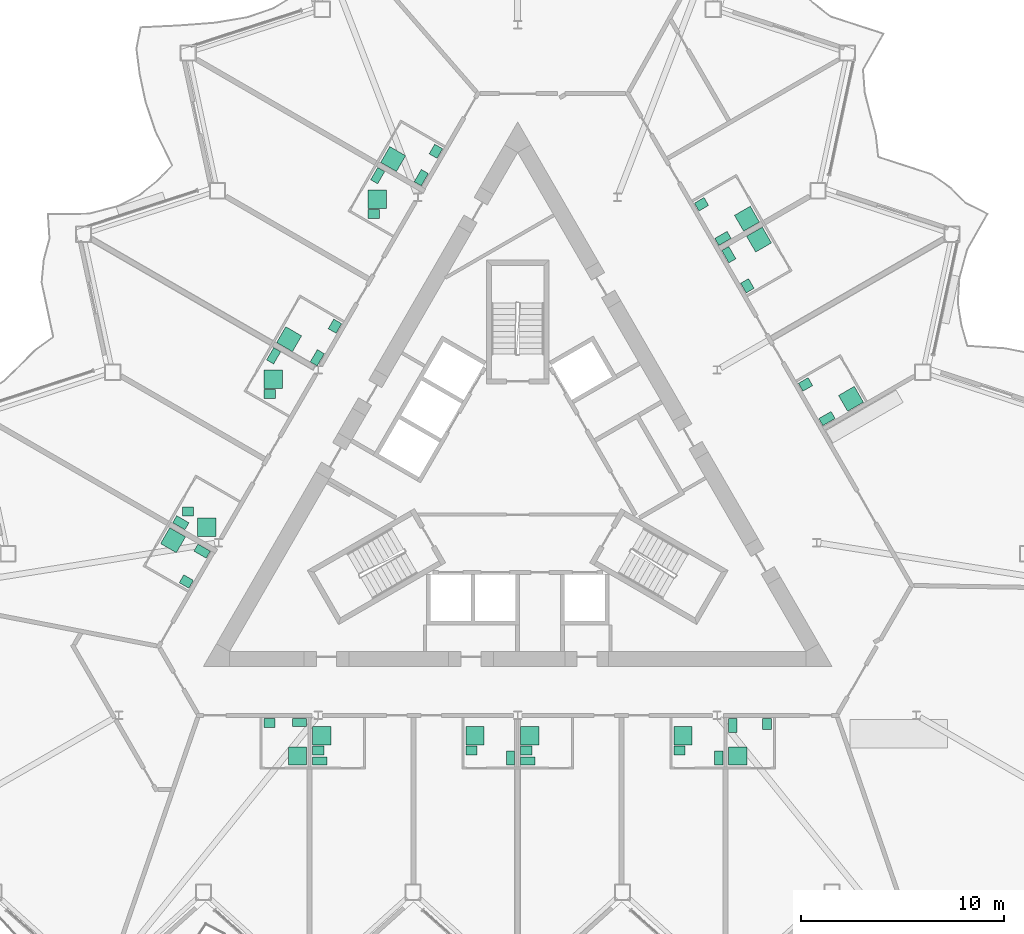
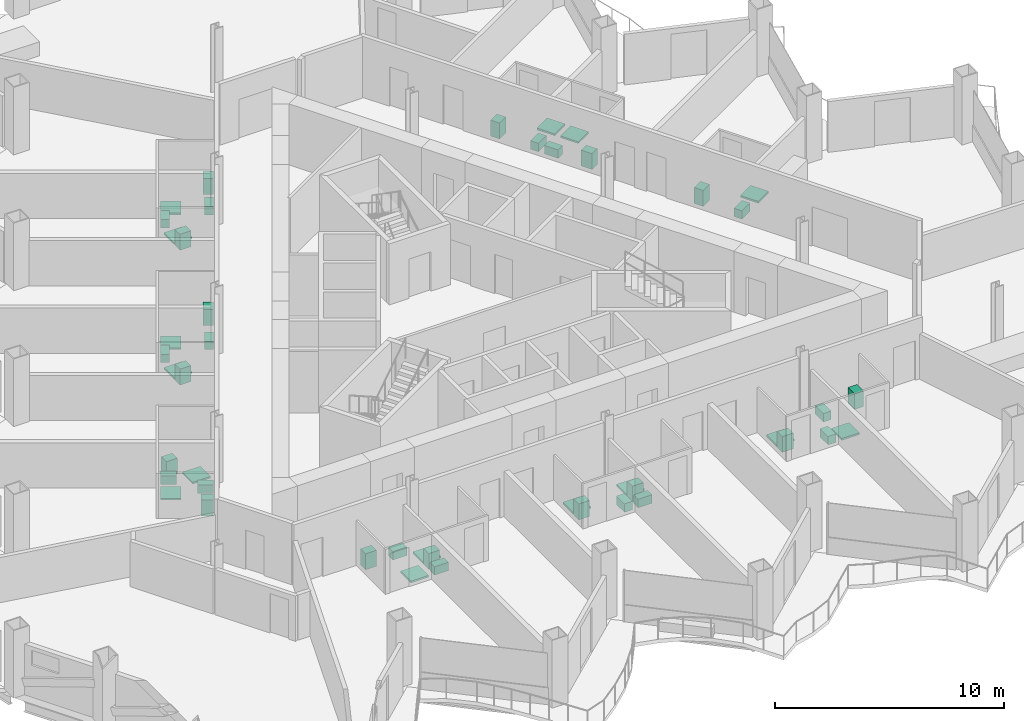
# One storey, part 22 of 23: 45 sanitary terminals.
"""IFC4 building model written with IfcOpenShell, lengths in metres."""

from ifc_helpers import new_model, si_unit, direction, frame, origin, origin_2d, place, context, subcontext, project, spatial, rectangle, extrude, material, type_object, element, save


model = new_model("IFC4")

# Units and contexts
model_context = context("Model", 3, precision=1e-05, world=origin(), true_north=direction((0.0, 1.0)))
body_context = subcontext(model_context, "Body", "Model", "MODEL_VIEW")
ifc_project = project(units=[si_unit("LENGTHUNIT", "METRE"), si_unit("AREAUNIT", "SQUARE_METRE"), si_unit("VOLUMEUNIT", "CUBIC_METRE"), si_unit("PLANEANGLEUNIT", "RADIAN"), si_unit("MASSUNIT", "GRAM", prefix="KILO")], contexts=[model_context])

# Site, building, storey
site_placement = place(None, origin())
site = spatial("IfcSite", under=ifc_project, at=site_placement, CompositionType="ELEMENT")
building_placement = place(site_placement, origin())
building = spatial("IfcBuilding", under=site, at=building_placement, Name="Cormorant Prow Tower", CompositionType="ELEMENT")
storey_placement = place(building_placement, frame((0.0, 0.0, 183.60009765625)))
storey = spatial("IfcBuildingStorey", under=building, at=storey_placement, Name="L39", CompositionType="ELEMENT", Elevation=183.60009765625)

# Sanitary terminals
ifc_material_1 = material(Name="Vitreous china")
sanitary_terminal_type_1 = type_object("IfcSanitaryTerminalType", Name="Shower tray 900x900", PredefinedType="SHOWER", material=ifc_material_1)
for number, where, z_axis, x_axis, name in (
    (1, (-10.84912109375, -13.35400390625, -0.000244140625), (0.0, 0.0, 1.0), (-1.0, 0.0, 0.0), "Shower tray"),
    (2, (-9.6591796875, -12.35400390625, -0.000244140625), (0.0, 0.0, 1.0), (1.0, 0.0, 0.0), "Shower tray"),
    (3, (-2.10498046875, -12.35400390625, -0.000244140625), (0.0, 0.0, 1.0), (1.0, 0.0, 0.0), "Shower tray"),
    (4, (0.594970703125, -12.35400390625, -0.000244140625), (0.0, 0.0, 1.0), (1.0, 0.0, 0.0), "Shower tray"),
    (5, (8.149169921875, -12.35400390625, -0.000244140625), (0.0, 0.0, 1.0), (1.0, 0.0, 0.0), "Shower tray"),
    (6, (10.84912109375, -13.35400390625, -0.000244140625), (0.0, 0.0, 1.0), (0.0, 1.0, 0.0), "Shower tray"),
    (7, (16.428955078125, 4.251953125, -0.000244140625), (0.0, 0.0, 1.0), (-0.866025403784, -0.5, 0.0), "Shower tray"),
    (8, (11.89697265625, 12.101806640625, -0.000244140625), (0.0, 0.0, 1.0), (0.5, -0.866025403784, 0.0), "Shower tray"),
    (9, (11.302001953125, 13.132568359375, -0.000244140625), (0.0, 0.0, 1.0), (-0.866025403784, -0.5, 0.0), "Shower tray"),
    (10, (-6.14013671875, 16.07275390625, -0.000244140625), (0.0, 0.0, 1.0), (0.5, 0.866025403784, 0.0), "Shower tray"),
    (11, (-6.923095703125, 14.096435546875, -0.000244140625), (0.0, 0.0, 1.0), (1.0, 0.0, 0.0), "Shower tray"),
    (12, (-11.267333984375, 7.1923828125, -0.000244140625), (0.0, 0.0, 1.0), (0.5, 0.866025403784, 0.0), "Shower tray"),
    (13, (-12.05029296875, 5.216064453125, -0.000244140625), (0.0, 0.0, 1.0), (1.0, 0.0, 0.0), "Shower tray"),
    (14, (-15.327392578125, -2.076171875, -0.000244140625), (0.0, 0.0, 1.0), (1.0, 0.0, 0.0), "Shower tray"),
    (15, (-16.989501953125, -2.71875, -0.000244140625), (0.0, 0.0, 1.0), (0.866025403784, -0.5, 0.0), "Shower tray"),
):
    element("IfcSanitaryTerminal", number, at=place(storey_placement, frame(where, z_axis=z_axis, x_axis=x_axis)), inside=storey, type_object=sanitary_terminal_type_1, Name=name, PredefinedType="SHOWER", context=body_context, shape_type="SweptSolid", body=[
        extrude(rectangle(XDim=0.89990234375, YDim=0.89990234375, at=origin_2d()), origin(), (0.0, 0.0, 1.0), 0.10009765625),
    ])
ifc_material_2 = material(Name="Vitreous china")
sanitary_terminal_type_2 = type_object("IfcSanitaryTerminalType", Name="Wash basin 550x450", PredefinedType="WASHHANDBASIN", material=ifc_material_2)
for number, where, z_axis, x_axis, name in (
    (16, (-12.234130859375, -11.718994140625, -0.000244140625), (0.0, 0.0, 1.0), (1.0, 0.0, 0.0), "Wash basin"),
    (17, (-9.834228515625, -13.078857421875, -0.000244140625), (0.0, 0.0, 1.0), (1.0, 0.0, 0.0), "Wash basin"),
    (18, (-2.280029296875, -13.078857421875, -0.000244140625), (0.0, 0.0, 1.0), (1.0, 0.0, 0.0), "Wash basin"),
    (19, (0.419921875, -13.078857421875, -0.000244140625), (0.0, 0.0, 1.0), (1.0, 0.0, 0.0), "Wash basin"),
    (20, (7.97412109375, -13.078857421875, -0.000244140625), (0.0, 0.0, 1.0), (1.0, 0.0, 0.0), "Wash basin"),
    (21, (12.2841796875, -11.768798828125, -0.000244140625), (0.0, 0.0, 1.0), (0.0, -1.0, 0.0), "Wash basin"),
    (22, (14.188720703125, 4.962158203125, -0.000244140625), (0.0, 0.0, 1.0), (0.866025403784, 0.5, 0.0), "Wash basin"),
    (23, (11.323486328125, 9.8251953125, -0.000244140625), (0.0, 0.0, 1.0), (-0.5, 0.866025403784, 0.0), "Wash basin"),
    (24, (9.061767578125, 13.842529296875, -0.000244140625), (0.0, 0.0, 1.0), (0.866025403784, 0.5, 0.0), "Wash basin"),
    (25, (-4.03173828125, 16.45458984375, -0.000244140625), (0.0, 0.0, 1.0), (-0.5, -0.866025403784, 0.0), "Wash basin"),
    (26, (-7.09814453125, 13.371337890625, -0.000244140625), (0.0, 0.0, 1.0), (1.0, 0.0, 0.0), "Wash basin"),
    (27, (-9.0087890625, 7.833984375, -0.000244140625), (0.0, 0.0, 1.0), (-0.5, -0.866025403784, 0.0), "Wash basin"),
    (28, (-12.225341796875, 4.490966796875, -0.000244140625), (0.0, 0.0, 1.0), (1.0, 0.0, 0.0), "Wash basin"),
    (29, (-16.25244140625, -1.30126953125, -0.000244140625), (0.0, 0.0, 1.0), (1.0, 0.0, 0.0), "Wash basin"),
    (30, (-16.334228515625, -4.75390625, -0.000244140625), (0.0, 0.0, 1.0), (-0.866025403784, 0.5, 0.0), "Wash basin"),
):
    element("IfcSanitaryTerminal", number, at=place(storey_placement, frame(where, z_axis=z_axis, x_axis=x_axis)), inside=storey, type_object=sanitary_terminal_type_2, Name=name, PredefinedType="WASHHANDBASIN", context=body_context, shape_type="SweptSolid", body=[
        extrude(rectangle(XDim=0.550048828125, YDim=0.449951171875, at=origin_2d()), origin(), (0.0, 0.0, 1.0), 0.85009765625),
    ])
ifc_material_3 = material(Name="Vitreous china")
sanitary_terminal_type_3 = type_object("IfcSanitaryTerminalType", Name="Water closet 400x700", PredefinedType="WCSEAT", material=ifc_material_3)
for number, where, z_axis, x_axis, name in (
    (31, (-10.749267578125, -11.69384765625, 0.0), (0.0, 0.0, 1.0), (0.0, -1.0, 0.0), "Water closet"),
    (32, (-9.75927734375, -13.60400390625, 0.0), (0.0, 0.0, 1.0), (0.0, 1.0, 0.0), "Water closet"),
    (33, (-0.344970703125, -13.453857421875, 0.0), (0.0, 0.0, 1.0), (-1.0, 0.0, 0.0), "Water closet"),
    (34, (0.4951171875, -13.60400390625, 0.0), (0.0, 0.0, 1.0), (0.0, 1.0, 0.0), "Water closet"),
    (35, (9.9091796875, -13.453857421875, 0.0), (0.0, 0.0, 1.0), (-1.0, 0.0, 0.0), "Water closet"),
    (36, (10.59912109375, -11.843994140625, 0.0), (0.0, 0.0, 1.0), (1.0, 0.0, 0.0), "Water closet"),
    (37, (15.246337890625, 3.280517578125, 0.0), (0.0, 0.0, 1.0), (-0.5, 0.866025403784, 0.0), "Water closet"),
    (38, (10.4091796875, 11.3583984375, 0.0), (0.0, 0.0, 1.0), (0.866025403784, 0.5, 0.0), "Water closet"),
    (39, (10.119140625, 12.160888671875, 0.0), (0.0, 0.0, 1.0), (-0.5, 0.866025403784, 0.0), "Water closet"),
    (40, (-4.752685546875, 15.156005859375, 0.0), (0.0, 0.0, 1.0), (-0.866025403784, 0.5, 0.0), "Water closet"),
    (41, (-6.901611328125, 15.253662109375, 0.0), (0.0, 0.0, 1.0), (0.866025403784, -0.5, 0.0), "Water closet"),
    (42, (-9.879638671875, 6.275634765625, 0.0), (0.0, 0.0, 1.0), (-0.866025403784, 0.5, 0.0), "Water closet"),
    (43, (-12.02880859375, 6.373291015625, 0.0), (0.0, 0.0, 1.0), (0.866025403784, -0.5, 0.0), "Water closet"),
    (44, (-16.606201171875, -1.854736328125, 0.0), (0.0, 0.0, 1.0), (0.5, 0.866025403784, 0.0), "Water closet"),
    (45, (-15.556884765625, -3.257080078125, 0.0), (0.0, 0.0, 1.0), (-0.5, -0.866025403784, 0.0), "Water closet"),
):
    element("IfcSanitaryTerminal", number, at=place(storey_placement, frame(where, z_axis=z_axis, x_axis=x_axis)), inside=storey, type_object=sanitary_terminal_type_3, Name=name, PredefinedType="WCSEAT", context=body_context, shape_type="SweptSolid", body=[
        extrude(rectangle(XDim=0.39990234375, YDim=0.699951171875, at=origin_2d()), origin(), (0.0, 0.0, 1.0), 0.449951171875),
    ])

save(model, "model.ifc")
